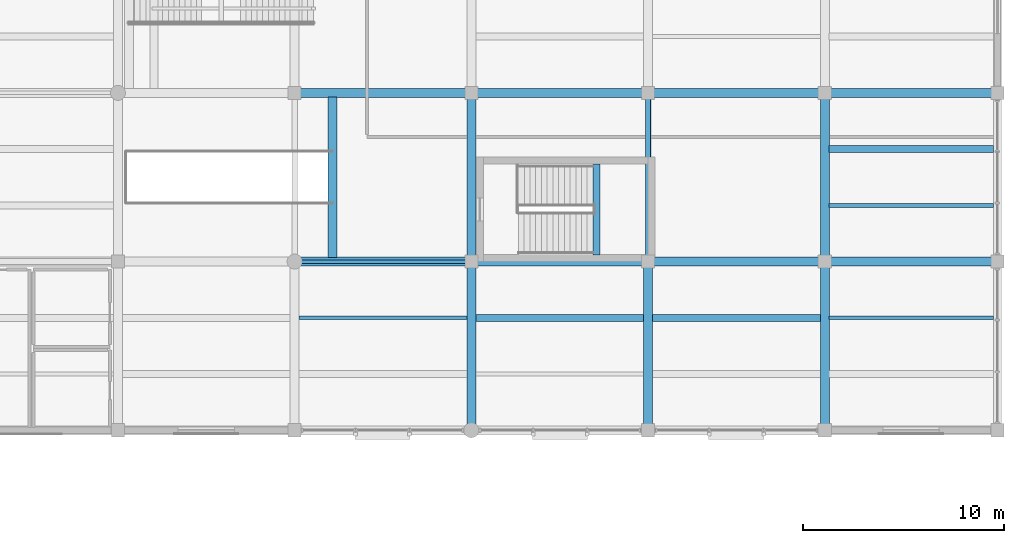
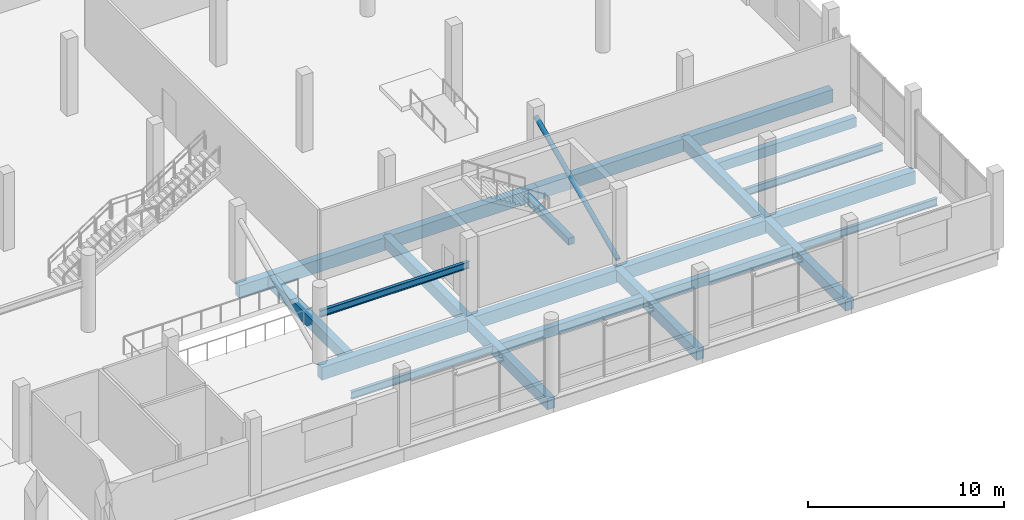
# One storey, part 44 of 71: 22 beams, 1 member.
"""IFC4 building model written with IfcOpenShell, lengths in metres."""

from ifc_helpers import new_model, si_unit, direction, frame, origin, origin_2d, place, context, subcontext, project, spatial, rectangle, hollow_circle, i_section, extrude, material, material_profile, profile_set, type_object, element, save


model = new_model("IFC4")

# Units and contexts
model_context = context("Model", 3, precision=1e-05, world=origin(), true_north=direction((0.0, 1.0)))
body_context = subcontext(model_context, "Body", "Model", "MODEL_VIEW")
ifc_project = project(units=[si_unit("LENGTHUNIT", "METRE"), si_unit("AREAUNIT", "SQUARE_METRE"), si_unit("VOLUMEUNIT", "CUBIC_METRE"), si_unit("PLANEANGLEUNIT", "RADIAN"), si_unit("MASSUNIT", "GRAM", prefix="KILO")], contexts=[model_context])

# Site, building, storey
site_placement = place(None, origin())
site = spatial("IfcSite", under=ifc_project, at=site_placement, CompositionType="ELEMENT")
building_placement = place(site_placement, origin())
building = spatial("IfcBuilding", under=site, at=building_placement, Name="Meriwether Solvik Hall", CompositionType="ELEMENT")
storey_placement = place(building_placement, frame((0.0, 0.0, 5.10009765625)))
storey = spatial("IfcBuildingStorey", under=building, at=storey_placement, Name="L01", CompositionType="ELEMENT", Elevation=5.10009765625)

# Beams
ifc_material_1 = material(Name="Concrete C40/50", Category="concrete")
ifc_material_profile_1 = material_profile(ifc_material_1, rectangle(XDim=0.35009765625, YDim=0.419921875, at=origin_2d()), Name="RCB-350X420")
ifc_profile_set_1 = profile_set([ifc_material_profile_1], Name="Concrete C40/50")
beam_type_1 = type_object("IfcBeamType", Name="BM-LND-RC-350X420", PredefinedType="BEAM", material=ifc_profile_set_1)
beam_1_placement = place(storey_placement, frame((146.8349609375, 58.72998046875, 1.989990234375), z_axis=(0.0, 1.0, 0.0), x_axis=(-1.0, 0.0, 0.0)))
element("IfcBeam", 1, at=beam_1_placement, inside=storey, type_object=beam_type_1, Name="Stair ST-05 Half-Landing Header Beam (L01)", PredefinedType="BEAM", context=body_context, shape_type="SweptSolid", body=[
    extrude(rectangle(XDim=0.35009765625, YDim=0.419921875, at=origin_2d()), origin(), (0.0, 0.0, 1.0), 4.5400390625),
])
ifc_material_2 = material(Name="Concrete C40/50", Category="concrete")
ifc_material_profile_2 = material_profile(ifc_material_2, rectangle(XDim=0.35009765625, YDim=0.60009765625, at=origin_2d()), Name="RCB-350X600")
ifc_profile_set_2 = profile_set([ifc_material_profile_2], Name="Concrete C40/50")
beam_type_2 = type_object("IfcBeamType", Name="BM-RC-350X600", PredefinedType="JOIST", material=ifc_profile_set_2)
for number, where, z_axis, x_axis, name in (
    (2, (140.820068359375, 55.60009765625, -0.60009765625), (1.0, 0.0, 0.0), (0.0, 1.0, 0.0), "Secondary Floor Joist 16/F_J2 (L01)"),
    (3, (149.6201171875, 55.60009765625, -0.60009765625), (1.0, 0.0, 0.0), (0.0, 1.0, 0.0), "Secondary Floor Joist 17/F_J2 (L01)"),
):
    element("IfcBeam", number, at=place(storey_placement, frame(where, z_axis=z_axis, x_axis=x_axis)), inside=storey, type_object=beam_type_2, Name=name, PredefinedType="JOIST", context=body_context, shape_type="SweptSolid", body=[
        extrude(rectangle(XDim=0.35009765625, YDim=0.60009765625, at=origin_2d()), origin(), (0.0, 0.0, 1.0), 8.35986328125),
    ])
beam_2_placement = place(storey_placement, frame((158.419921875, 64.0, -0.60009765625), z_axis=(1.0, 0.0, 0.0), x_axis=(0.0, 1.0, 0.0)))
element("IfcBeam", 4, at=beam_2_placement, inside=storey, type_object=beam_type_2, Name="Secondary Floor Joist 18/G_J2 (L01)", PredefinedType="JOIST", context=body_context, shape_type="SweptSolid", body=[
    extrude(rectangle(XDim=0.35009765625, YDim=0.60009765625, at=origin_2d()), origin(), (0.0, 0.0, 1.0), 8.18505859375),
])
ifc_material_3 = material(Name="Concrete C40/50", Category="concrete")
ifc_material_profile_3 = material_profile(ifc_material_3, rectangle(XDim=0.449951171875, YDim=0.699951171875, at=origin_2d()), Name="RCB-450X700")
ifc_profile_set_3 = profile_set([ifc_material_profile_3], Name="Concrete C40/50")
beam_type_3 = type_object("IfcBeamType", Name="BM-RC-450X700", PredefinedType="BEAM", material=ifc_profile_set_3)
beam_3_placement = place(storey_placement, frame((140.60009765625, 50.0, -0.650146484375), z_axis=(0.0, 1.0, 0.0), x_axis=(-1.0, 0.0, 0.0)))
element("IfcBeam", 5, at=beam_3_placement, inside=storey, type_object=beam_type_3, Name="Podium Girder 16:F-G (L01)", PredefinedType="BEAM", context=body_context, shape_type="SweptSolid", body=[
    extrude(rectangle(XDim=0.449951171875, YDim=0.699951171875, at=origin_2d()), origin(), (0.0, 0.0, 1.0), 8.39990234375),
])
beam_4_placement = place(storey_placement, frame((140.60009765625, 58.39990234375, -0.650146484375), z_axis=(0.0, 1.0, 0.0), x_axis=(-1.0, 0.0, 0.0)))
element("IfcBeam", 6, at=beam_4_placement, inside=storey, type_object=beam_type_3, Name="Podium Girder 16:G-H (L01)", PredefinedType="BEAM", context=body_context, shape_type="SweptSolid", body=[
    extrude(rectangle(XDim=0.449951171875, YDim=0.699951171875, at=origin_2d()), origin(), (0.0, 0.0, 1.0), 8.400146484375),
])
for number, where, z_axis, x_axis, name in (
    (7, (149.39990234375, 50.0, -0.650146484375), (0.0, 1.0, 0.0), (-1.0, 0.0, 0.0), "Podium Girder 17:F-G (L01)"),
    (8, (158.199951171875, 50.0, -0.650146484375), (0.0, 1.0, 0.0), (-1.0, 0.0, 0.0), "Podium Girder 18:F-G (L01)"),
):
    element("IfcBeam", number, at=place(storey_placement, frame(where, z_axis=z_axis, x_axis=x_axis)), inside=storey, type_object=beam_type_3, Name=name, PredefinedType="BEAM", context=body_context, shape_type="SweptSolid", body=[
        extrude(rectangle(XDim=0.449951171875, YDim=0.699951171875, at=origin_2d()), origin(), (0.0, 0.0, 1.0), 8.39990234375),
    ])
beam_5_placement = place(storey_placement, frame((158.199951171875, 58.39990234375, -0.650146484375), z_axis=(0.0, 1.0, 0.0), x_axis=(-1.0, 0.0, 0.0)))
element("IfcBeam", 9, at=beam_5_placement, inside=storey, type_object=beam_type_3, Name="Podium Girder 18:G-H (L01)", PredefinedType="BEAM", context=body_context, shape_type="SweptSolid", body=[
    extrude(rectangle(XDim=0.449951171875, YDim=0.699951171875, at=origin_2d()), origin(), (0.0, 0.0, 1.0), 8.400146484375),
])
beam_6_placement = place(storey_placement, frame((133.68994140625, 58.614990234375, -0.650146484375), z_axis=(0.0, 1.0, 0.0), x_axis=(-1.0, 0.0, 0.0)))
element("IfcBeam", 10, at=beam_6_placement, inside=storey, type_object=beam_type_3, Name="Stair ST-LB2 Top Trimmer Beam", PredefinedType="BEAM", context=body_context, shape_type="SweptSolid", body=[
    extrude(rectangle(XDim=0.449951171875, YDim=0.699951171875, at=origin_2d()), origin(), (0.0, 0.0, 1.0), 7.969970703125),
])
ifc_material_4 = material(Name="Concrete C40/50", Category="concrete")
ifc_material_profile_4 = material_profile(ifc_material_4, rectangle(XDim=0.449951171875, YDim=0.800048828125, at=origin_2d()), Name="RCB-450X800")
ifc_profile_set_4 = profile_set([ifc_material_profile_4], Name="Concrete C40/50")
beam_type_4 = type_object("IfcBeamType", Name="BM-RC-450X800", PredefinedType="BEAM", material=ifc_profile_set_4)
beam_7_placement = place(storey_placement, frame((131.800048828125, 58.39990234375, -0.7001953125), z_axis=(1.0, 0.0, 0.0), x_axis=(0.0, 1.0, 0.0)))
element("IfcBeam", 11, at=beam_7_placement, inside=storey, type_object=beam_type_4, Name="Podium Girder G:15-16 (L01)", PredefinedType="BEAM", context=body_context, shape_type="SweptSolid", body=[
    extrude(rectangle(XDim=0.449951171875, YDim=0.800048828125, at=origin_2d()), origin(), (0.0, 0.0, 1.0), 8.800048828125),
])
beam_8_placement = place(storey_placement, frame((140.60009765625, 58.39990234375, -0.7001953125), z_axis=(1.0, 0.0, 0.0), x_axis=(0.0, 1.0, 0.0)))
element("IfcBeam", 12, at=beam_8_placement, inside=storey, type_object=beam_type_4, Name="Podium Girder G:16-17 (L01)", PredefinedType="BEAM", context=body_context, shape_type="SweptSolid", body=[
    extrude(rectangle(XDim=0.449951171875, YDim=0.800048828125, at=origin_2d()), origin(), (0.0, 0.0, 1.0), 8.7998046875),
])
beam_9_placement = place(storey_placement, frame((149.39990234375, 58.39990234375, -0.7001953125), z_axis=(1.0, 0.0, 0.0), x_axis=(0.0, 1.0, 0.0)))
element("IfcBeam", 13, at=beam_9_placement, inside=storey, type_object=beam_type_4, Name="Podium Girder G:17-18 (L01)", PredefinedType="BEAM", context=body_context, shape_type="SweptSolid", body=[
    extrude(rectangle(XDim=0.449951171875, YDim=0.800048828125, at=origin_2d()), origin(), (0.0, 0.0, 1.0), 8.800048828125),
])
beam_10_placement = place(storey_placement, frame((158.199951171875, 58.39990234375, -0.7001953125), z_axis=(1.0, 0.0, 0.0), x_axis=(0.0, 1.0, 0.0)))
element("IfcBeam", 14, at=beam_10_placement, inside=storey, type_object=beam_type_4, Name="Podium Girder G:18-19 (L01)", PredefinedType="BEAM", context=body_context, shape_type="SweptSolid", body=[
    extrude(rectangle(XDim=0.449951171875, YDim=0.800048828125, at=origin_2d()), origin(), (0.0, 0.0, 1.0), 8.60009765625),
])
beam_11_placement = place(storey_placement, frame((131.800048828125, 66.800048828125, -0.7001953125), z_axis=(1.0, 0.0, 0.0), x_axis=(0.0, 1.0, 0.0)))
element("IfcBeam", 15, at=beam_11_placement, inside=storey, type_object=beam_type_4, Name="Podium Girder H:15-16 (L01)", PredefinedType="BEAM", context=body_context, shape_type="SweptSolid", body=[
    extrude(rectangle(XDim=0.449951171875, YDim=0.800048828125, at=origin_2d()), origin(), (0.0, 0.0, 1.0), 8.800048828125),
])
beam_12_placement = place(storey_placement, frame((140.60009765625, 66.800048828125, -0.7001953125), z_axis=(1.0, 0.0, 0.0), x_axis=(0.0, 1.0, 0.0)))
element("IfcBeam", 16, at=beam_12_placement, inside=storey, type_object=beam_type_4, Name="Podium Girder H:16-17 (L01)", PredefinedType="BEAM", context=body_context, shape_type="SweptSolid", body=[
    extrude(rectangle(XDim=0.449951171875, YDim=0.800048828125, at=origin_2d()), origin(), (0.0, 0.0, 1.0), 8.7998046875),
])
beam_13_placement = place(storey_placement, frame((149.39990234375, 66.800048828125, -0.7001953125), z_axis=(1.0, 0.0, 0.0), x_axis=(0.0, 1.0, 0.0)))
element("IfcBeam", 17, at=beam_13_placement, inside=storey, type_object=beam_type_4, Name="Podium Girder H:17-18 (L01)", PredefinedType="BEAM", context=body_context, shape_type="SweptSolid", body=[
    extrude(rectangle(XDim=0.449951171875, YDim=0.800048828125, at=origin_2d()), origin(), (0.0, 0.0, 1.0), 8.800048828125),
])
beam_14_placement = place(storey_placement, frame((158.199951171875, 66.800048828125, -0.7001953125), z_axis=(1.0, 0.0, 0.0), x_axis=(0.0, 1.0, 0.0)))
element("IfcBeam", 18, at=beam_14_placement, inside=storey, type_object=beam_type_4, Name="Podium Girder H:18-19 (L01)", PredefinedType="BEAM", context=body_context, shape_type="SweptSolid", body=[
    extrude(rectangle(XDim=0.449951171875, YDim=0.800048828125, at=origin_2d()), origin(), (0.0, 0.0, 1.0), 8.60009765625),
])
ifc_material_5 = material(Name="Steel A992 Grade 50", Category="steel")
ifc_material_profile_5 = material_profile(ifc_material_5, i_section(OverallWidth=0.180908203125, OverallDepth=0.4169921875, WebThickness=0.010986328125, FlangeThickness=0.018310546875, at=origin_2d()), Name="W16X57")
ifc_profile_set_5 = profile_set([ifc_material_profile_5], Name="Steel A992 Grade 50")
beam_type_5 = type_object("IfcBeamType", Name="BM-STL-W16X57", PredefinedType="LINTEL", material=ifc_profile_set_5)
beam_15_placement = place(storey_placement, frame((131.800048828125, 58.39990234375, 2.94140625), z_axis=(1.0, 0.0, 0.0), x_axis=(0.0, 1.0, 0.0)))
element("IfcBeam", 19, at=beam_15_placement, inside=storey, type_object=beam_type_5, Name="Galleria Portal Lintel G:15-16 (L01)", PredefinedType="LINTEL", context=body_context, shape_type="SweptSolid", body=[
    extrude(i_section(OverallWidth=0.180908203125, OverallDepth=0.4169921875, WebThickness=0.010986328125, FlangeThickness=0.018310546875, at=origin_2d()), origin(), (0.0, 0.0, 1.0), 8.800048828125),
])
ifc_material_6 = material(Name="Steel A992 Grade 50", Category="steel")
ifc_material_profile_6 = material_profile(ifc_material_6, i_section(OverallWidth=0.19091796875, OverallDepth=0.45703125, WebThickness=0.009033203125, FlangeThickness=0.014404296875, at=origin_2d()), Name="W18X50")
ifc_profile_set_6 = profile_set([ifc_material_profile_6], Name="Steel A992 Grade 50")
beam_type_6 = type_object("IfcBeamType", Name="BM-STL-W18X50", PredefinedType="JOIST", material=ifc_profile_set_6)
beam_16_placement = place(storey_placement, frame((132.02001953125, 55.60009765625, -0.528564453125), z_axis=(1.0, 0.0, 0.0), x_axis=(0.0, 1.0, 0.0)))
element("IfcBeam", 20, at=beam_16_placement, inside=storey, type_object=beam_type_6, Name="Secondary Floor Joist 15/F_J2 (L01)", PredefinedType="JOIST", context=body_context, shape_type="SweptSolid", body=[
    extrude(i_section(OverallWidth=0.19091796875, OverallDepth=0.45703125, WebThickness=0.009033203125, FlangeThickness=0.014404296875, at=origin_2d()), origin(), (0.0, 0.0, 1.0), 8.35986328125),
])
for number, where, z_axis, x_axis, name in (
    (21, (158.419921875, 55.60009765625, -0.528564453125), (1.0, 0.0, 0.0), (0.0, 1.0, 0.0), "Secondary Floor Joist 18/F_J2 (L01)"),
    (22, (158.419921875, 61.199951171875, -0.528564453125), (1.0, 0.0, 0.0), (0.0, 1.0, 0.0), "Secondary Floor Joist 18/G_J1 (L01)"),
):
    element("IfcBeam", number, at=place(storey_placement, frame(where, z_axis=z_axis, x_axis=x_axis)), inside=storey, type_object=beam_type_6, Name=name, PredefinedType="JOIST", context=body_context, shape_type="SweptSolid", body=[
        extrude(i_section(OverallWidth=0.19091796875, OverallDepth=0.45703125, WebThickness=0.009033203125, FlangeThickness=0.014404296875, at=origin_2d()), origin(), (0.0, 0.0, 1.0), 8.18505859375),
    ])

# Member
ifc_material_7 = material(Name="Steel A500 Grade C", Category="steel")
ifc_material_profile_7 = material_profile(ifc_material_7, hollow_circle(Radius=0.136474609375, WallThickness=0.0126953125, at=origin_2d()), Name="CHS273X12.7")
ifc_profile_set_7 = profile_set([ifc_material_profile_7], Name="Steel A500 Grade C")
member_type = type_object("IfcMemberType", Name="MEM-BR-CHS273", PredefinedType="BRACE", material=ifc_profile_set_7)
member_placement = place(storey_placement, frame((149.39990234375, 58.39990234375, 0.14990234375), z_axis=(0.0, 0.910292166863, 0.413966388668), x_axis=(-1.0, 0.0, 0.0)))
element("IfcMember", 23, at=member_placement, inside=storey, type_object=member_type, Name="Podium Diagonal Brace L01-PB4", PredefinedType="BRACE", context=body_context, shape_type="SweptSolid", body=[
    extrude(hollow_circle(Radius=0.136474609375, WallThickness=0.0126953125, at=origin_2d()), origin(), (0.0, 0.0, 1.0), 9.22802734375),
])

save(model, "model.ifc")
